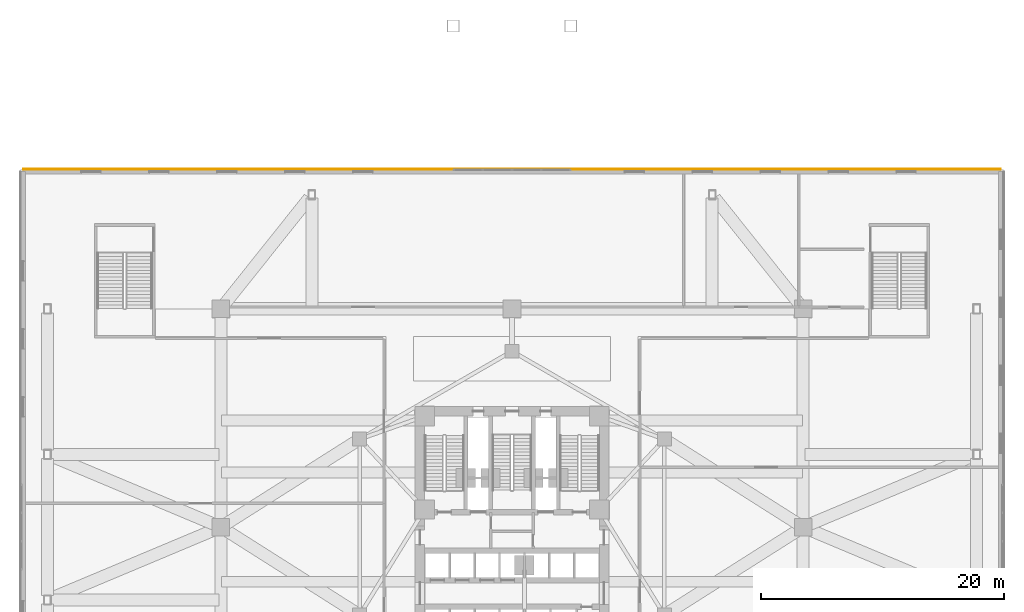
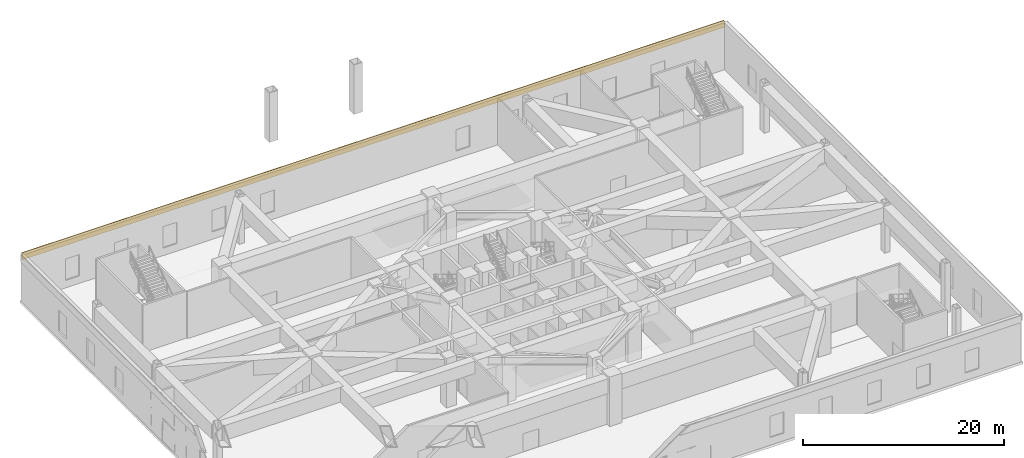
# One storey, part 21 of 24: 1 covering.
"""IFC4 building model written with IfcOpenShell, lengths in metres."""

from ifc_helpers import new_model, si_unit, direction, frame, origin, place, context, subcontext, project, spatial, polyline, outline, extrude, material, layer, layer_set, type_object, element, save


model = new_model("IFC4")

# Units and contexts
model_context = context("Model", 3, precision=1e-05, world=origin(), true_north=direction((0.0, 1.0)))
body_context = subcontext(model_context, "Body", "Model", "MODEL_VIEW")
ifc_project = project(units=[si_unit("LENGTHUNIT", "METRE"), si_unit("AREAUNIT", "SQUARE_METRE"), si_unit("VOLUMEUNIT", "CUBIC_METRE"), si_unit("PLANEANGLEUNIT", "RADIAN"), si_unit("MASSUNIT", "GRAM", prefix="KILO")], contexts=[model_context])

# Site, building, storey
site_placement = place(None, origin())
site = spatial("IfcSite", under=ifc_project, at=site_placement, CompositionType="ELEMENT")
building_placement = place(site_placement, origin())
building = spatial("IfcBuilding", under=site, at=building_placement, Name="Apsidion Concourse Tower", CompositionType="ELEMENT")
storey_placement = place(building_placement, frame((0.0, 0.0, 17.5)))
storey = spatial("IfcBuildingStorey", under=building, at=storey_placement, Name="L03", CompositionType="ELEMENT", Elevation=17.5)

# Covering
ifc_material = material(Name="Reconstituted limestone facade cladding", Category="masonry")
ifc_layer = layer(ifc_material, 0.080078125)
ifc_layer_set = layer_set([ifc_layer], Name="Reconstituted limestone facade cladding")
covering_type = type_object("IfcCoveringType", Name="COV-CLAD-80", PredefinedType="CLADDING", material=ifc_layer_set)
covering_placement = place(storey_placement, frame((0.0, 0.0, 4.85009765625)))
element("IfcCovering", 1, at=covering_placement, inside=storey, type_object=covering_type, Name="L03 Limestone Spandrel Cladding N", PredefinedType="CLADDING", context=body_context, shape_type="SweptSolid", body=[
    extrude(outline(polyline([(-40.300048828125, 29.47998046875), (40.300048828125, 29.47998046875), (40.300048828125, 29.56005859375), (-40.300048828125, 29.56005859375), (-40.300048828125, 29.47998046875)])), origin(), (0.0, 0.0, 1.0), 0.849853515625),
])

save(model, "model.ifc")
